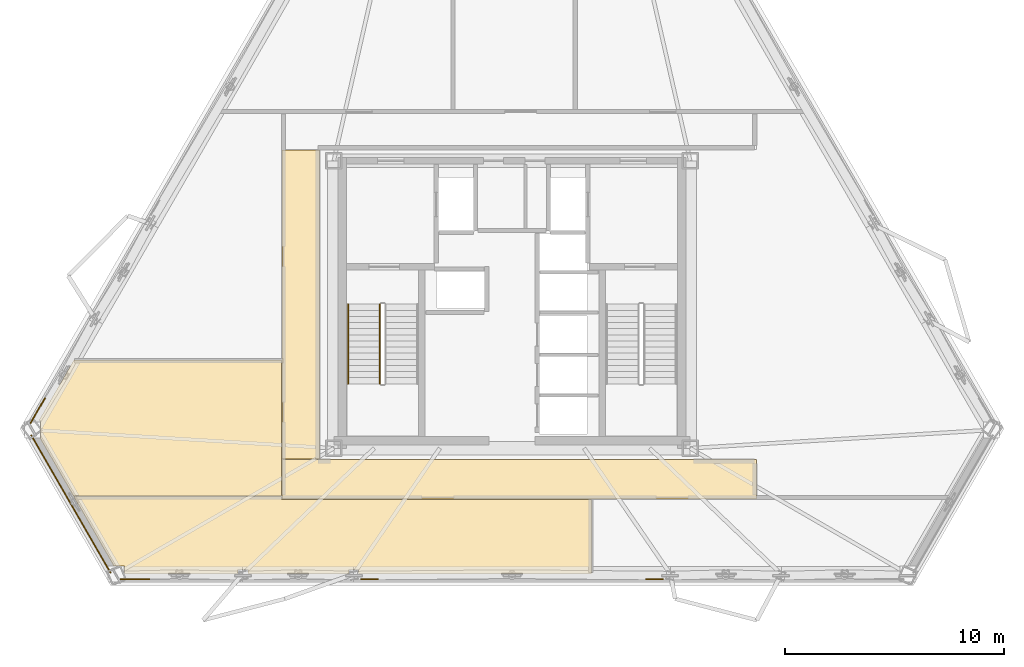
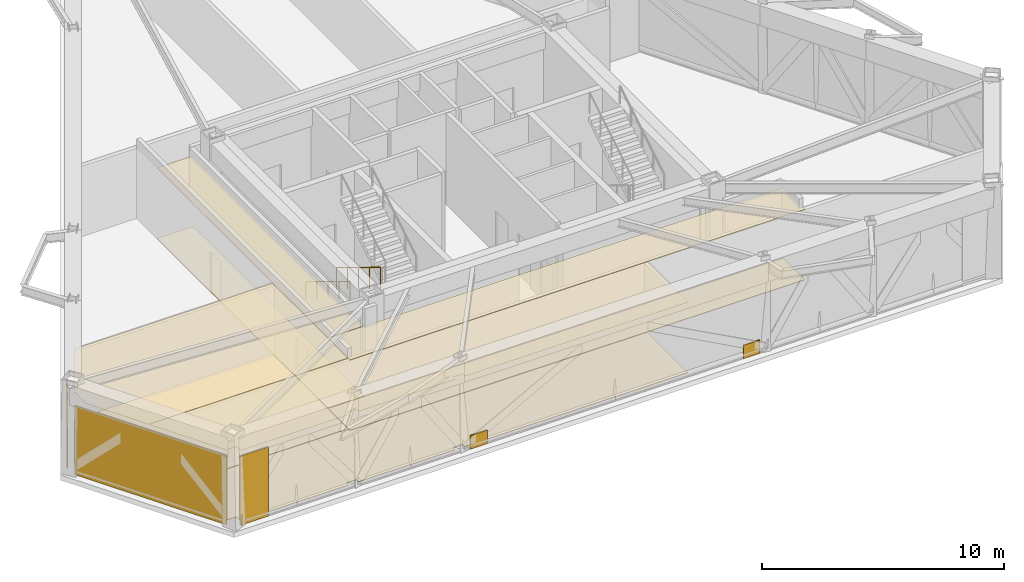
# One storey, part 8 of 10: 13 coverings, 2 railings.
"""IFC4 building model written with IfcOpenShell, lengths in metres."""

from ifc_helpers import new_model, si_unit, direction, frame, origin, origin_2d, place, context, subcontext, project, spatial, polyline, rectangle, circle, outline, extrude, material, layer, layer_set, type_object, element, save


model = new_model("IFC4")

# Units and contexts
model_context = context("Model", 3, precision=1e-05, world=origin(), true_north=direction((0.0, 1.0)))
body_context = subcontext(model_context, "Body", "Model", "MODEL_VIEW")
ifc_project = project(units=[si_unit("LENGTHUNIT", "METRE"), si_unit("AREAUNIT", "SQUARE_METRE"), si_unit("VOLUMEUNIT", "CUBIC_METRE"), si_unit("PLANEANGLEUNIT", "RADIAN"), si_unit("MASSUNIT", "GRAM", prefix="KILO")], contexts=[model_context])

# Site, building, storey
site_placement = place(None, origin())
site = spatial("IfcSite", under=ifc_project, at=site_placement, CompositionType="ELEMENT")
building_placement = place(site_placement, origin())
building = spatial("IfcBuilding", under=site, at=building_placement, Name="Oramaril Tower", CompositionType="ELEMENT")
storey_placement = place(building_placement, frame((0.0, 0.0, 189.0)))
storey = spatial("IfcBuildingStorey", under=building, at=storey_placement, Name="L50", CompositionType="ELEMENT", Elevation=189.0)

# Coverings
ifc_material_1 = material(Name="Mineral Fibre Acoustic Ceiling")
ifc_layer_1 = layer(ifc_material_1, 0.02001953125)
ifc_layer_set_1 = layer_set([ifc_layer_1], Name="CVT-CEIL")
covering_type_1 = type_object("IfcCoveringType", Name="CVT-CEIL", PredefinedType="CEILING", material=ifc_layer_set_1)
covering_1_placement = place(storey_placement, frame((0.0, 0.0, 3.56201171875)))
element("IfcCovering", 1, at=covering_1_placement, inside=storey, type_object=covering_type_1, Name="L50 Acoustic Suspended Ceiling 1", PredefinedType="CEILING", context=body_context, shape_type="SweptSolid", body=[
    extrude(outline(polyline([(48.679931640625, 10.47998046875), (48.679931640625, 8.669921875), (26.969970703125, 8.669921875), (26.969970703125, 10.47998046875), (48.679931640625, 10.47998046875)])), origin(), (0.0, 0.0, 1.0), 0.02001953125),
])
covering_2_placement = place(storey_placement, frame((0.0, 0.0, 3.56201171875)))
element("IfcCovering", 2, at=covering_2_placement, inside=storey, type_object=covering_type_1, Name="L50 Acoustic Suspended Ceiling 3", PredefinedType="CEILING", context=body_context, shape_type="SweptSolid", body=[
    extrude(outline(polyline([(28.699951171875, 10.5), (26.969970703125, 10.5), (26.969970703125, 24.64990234375), (28.699951171875, 24.64990234375), (28.699951171875, 10.5)])), origin(), (0.0, 0.0, 1.0), 0.02001953125),
])
covering_3_placement = place(storey_placement, frame((0.0, 0.0, 3.56201171875)))
element("IfcCovering", 3, at=covering_3_placement, inside=storey, type_object=covering_type_1, Name="L50 Acoustic Suspended Ceiling 4", PredefinedType="CEILING", context=body_context, shape_type="SweptSolid", body=[
    extrude(outline(polyline([(41.14208984375, 5.279296875), (30.484619140625, 5.279296875), (30.484619140625, 5.461181640625), (30.03369140625, 5.461181640625), (30.03369140625, 5.279296875), (25.419921875, 5.279296875), (25.419921875, 5.461181640625), (24.960693359375, 5.461181640625), (24.960693359375, 5.279296875), (19.782470703125, 5.279296875), (19.782470703125, 5.61181640625), (19.282958984375, 5.61181640625), (17.44677734375, 8.7919921875), (26.949951171875, 8.7919921875), (26.949951171875, 8.669921875), (26.9501953125, 8.66796875), (26.950439453125, 8.666015625), (26.950927734375, 8.664306640625), (26.951416015625, 8.662353515625), (26.952392578125, 8.66064453125), (26.953369140625, 8.658935546875), (26.95458984375, 8.6572265625), (26.955810546875, 8.656005859375), (26.957275390625, 8.654541015625), (26.958984375, 8.6533203125), (26.960693359375, 8.65234375), (26.96240234375, 8.651611328125), (26.964111328125, 8.65087890625), (26.966064453125, 8.650390625), (26.968017578125, 8.650146484375), (26.969970703125, 8.64990234375), (41.14208984375, 8.64990234375), (41.14208984375, 5.279296875)])), origin(), (0.0, 0.0, 1.0), 0.02001953125),
])
covering_4_placement = place(storey_placement, frame((0.0, 0.0, 3.56201171875)))
element("IfcCovering", 4, at=covering_4_placement, inside=storey, type_object=covering_type_1, Name="L50 Acoustic Suspended Ceiling 6", PredefinedType="CEILING", context=body_context, shape_type="SweptSolid", body=[
    extrude(outline(polyline([(15.9013671875, 11.468994140625), (15.943603515625, 11.468994140625), (15.943603515625, 12.27001953125), (15.865966796875, 12.27001953125), (17.46630859375, 15.0419921875), (26.949951171875, 15.0419921875), (26.949951171875, 10.5), (26.9501953125, 10.498046875), (26.950439453125, 10.49609375), (26.950927734375, 10.494140625), (26.951416015625, 10.4921875), (26.952392578125, 10.490478515625), (26.95263671875, 10.489990234375), (26.952392578125, 10.489501953125), (26.951416015625, 10.48779296875), (26.950927734375, 10.48583984375), (26.950439453125, 10.48388671875), (26.9501953125, 10.48193359375), (26.949951171875, 10.47998046875), (26.949951171875, 8.81201171875), (17.44677734375, 8.81201171875), (17.44482421875, 8.81201171875), (17.44287109375, 8.8115234375), (17.44091796875, 8.81103515625), (17.439208984375, 8.810302734375), (17.437255859375, 8.8095703125), (17.436767578125, 8.809326171875), (15.9013671875, 11.468994140625)])), origin(), (0.0, 0.0, 1.0), 0.02001953125),
])
ifc_material_2 = material(Name="Warm Cream Limestone", Category="masonry")
ifc_layer_2 = layer(ifc_material_2, 0.050048828125)
ifc_layer_set_2 = layer_set([ifc_layer_2], Name="CVT-CLD")
covering_type_2 = type_object("IfcCoveringType", Name="CVT-CLD", PredefinedType="CLADDING", material=ifc_layer_set_2)
covering_5_placement = place(storey_placement, frame((17.32470703125, 8.451904296875, 0.0400390625), z_axis=(0.0, 0.0, 1.0), x_axis=(0.4999984885, -0.866026276448, 0.0)))
element("IfcCovering", 5, at=covering_5_placement, inside=storey, type_object=covering_type_2, Name="L50 Warm Cream Limestone Cladding", PredefinedType="CLADDING", context=body_context, shape_type="SweptSolid", body=[
    extrude(rectangle(XDim=7.26953125, YDim=0.050048828125, at=origin_2d()), origin(), (0.0, 0.0, 1.0), 3.489990234375),
])
covering_6_placement = place(storey_placement, frame((20.262451171875, 5.00341796875, 0.0400390625), z_axis=(0.0, 0.0, 1.0), x_axis=(1.0, 0.0, 0.0)))
element("IfcCovering", 6, at=covering_6_placement, inside=storey, type_object=covering_type_2, Name="L50 Warm Cream Limestone Cladding", PredefinedType="CLADDING", context=body_context, shape_type="SweptSolid", body=[
    extrude(rectangle(XDim=1.35009765625, YDim=0.050048828125, at=origin_2d()), origin(), (0.0, 0.0, 1.0), 3.489990234375),
])
for number, where, z_axis, x_axis, name in (
    (7, (30.988525390625, 5.00341796875, 0.0400390625), (0.0, 0.0, 1.0), (1.0, 0.0, 0.0), "L50 Warm Cream Limestone Spandrel Cladding"),
    (8, (44.011474609375, 5.00341796875, 0.0400390625), (0.0, 0.0, 1.0), (1.0, 0.0, 0.0), "L50 Warm Cream Limestone Spandrel Cladding"),
):
    element("IfcCovering", number, at=place(storey_placement, frame(where, z_axis=z_axis, x_axis=x_axis)), inside=storey, type_object=covering_type_2, Name=name, PredefinedType="CLADDING", context=body_context, shape_type="SweptSolid", body=[
        extrude(rectangle(XDim=0.800048828125, YDim=0.050048828125, at=origin_2d()), origin(), (0.0, 0.0, 1.0), 0.679931640625),
    ])
covering_7_placement = place(storey_placement, frame((15.80712890625, 12.72021484375, 0.0400390625), z_axis=(0.0, 0.0, 1.0), x_axis=(-0.5, -0.866025403784, 0.0)))
element("IfcCovering", 9, at=covering_7_placement, inside=storey, type_object=covering_type_2, Name="L50 Warm Cream Limestone Cladding", PredefinedType="CLADDING", context=body_context, shape_type="SweptSolid", body=[
    extrude(rectangle(XDim=1.35009765625, YDim=0.050048828125, at=origin_2d()), origin(), (0.0, 0.0, 1.0), 3.489990234375),
])
ifc_material_3 = material(Name="Honed Quartzite Stone Flooring", Category="masonry")
ifc_layer_3 = layer(ifc_material_3, 0.02490234375)
ifc_layer_set_3 = layer_set([ifc_layer_3], Name="CVT-FLR")
covering_type_3 = type_object("IfcCoveringType", Name="CVT-FLR", PredefinedType="FLOORING", material=ifc_layer_set_3)
covering_8_placement = place(storey_placement, origin())
element("IfcCovering", 10, at=covering_8_placement, inside=storey, type_object=covering_type_3, Name="L50 Honed Stone Floor Finish 1", PredefinedType="FLOORING", context=body_context, shape_type="SweptSolid", body=[
    extrude(outline(polyline([(48.679931640625, 10.47998046875), (48.679931640625, 8.669921875), (26.969970703125, 8.669921875), (26.969970703125, 10.47998046875), (48.679931640625, 10.47998046875)])), origin(), (0.0, 0.0, 1.0), 0.02490234375),
])
covering_9_placement = place(storey_placement, origin())
element("IfcCovering", 11, at=covering_9_placement, inside=storey, type_object=covering_type_3, Name="L50 Honed Stone Floor Finish 3", PredefinedType="FLOORING", context=body_context, shape_type="SweptSolid", body=[
    extrude(outline(polyline([(28.699951171875, 10.5), (26.969970703125, 10.5), (26.969970703125, 24.64990234375), (28.699951171875, 24.64990234375), (28.699951171875, 10.5)])), origin(), (0.0, 0.0, 1.0), 0.02490234375),
])
covering_10_placement = place(storey_placement, origin())
element("IfcCovering", 12, at=covering_10_placement, inside=storey, type_object=covering_type_3, Name="L50 Honed Stone Floor Finish 4", PredefinedType="FLOORING", context=body_context, shape_type="SweptSolid", body=[
    extrude(outline(polyline([(41.14208984375, 5.279296875), (30.484619140625, 5.279296875), (30.484619140625, 5.461181640625), (30.03369140625, 5.461181640625), (30.03369140625, 5.279296875), (25.419921875, 5.279296875), (25.419921875, 5.461181640625), (24.960693359375, 5.461181640625), (24.960693359375, 5.279296875), (19.782470703125, 5.279296875), (19.782470703125, 5.61181640625), (19.282958984375, 5.61181640625), (17.44677734375, 8.7919921875), (26.949951171875, 8.7919921875), (26.949951171875, 8.669921875), (26.9501953125, 8.66796875), (26.950439453125, 8.666015625), (26.950927734375, 8.664306640625), (26.951416015625, 8.662353515625), (26.952392578125, 8.66064453125), (26.953369140625, 8.658935546875), (26.95458984375, 8.6572265625), (26.955810546875, 8.656005859375), (26.957275390625, 8.654541015625), (26.958984375, 8.6533203125), (26.960693359375, 8.65234375), (26.96240234375, 8.651611328125), (26.964111328125, 8.65087890625), (26.966064453125, 8.650390625), (26.968017578125, 8.650146484375), (26.969970703125, 8.64990234375), (41.14208984375, 8.64990234375), (41.14208984375, 5.279296875)])), origin(), (0.0, 0.0, 1.0), 0.02490234375),
])
covering_11_placement = place(storey_placement, origin())
element("IfcCovering", 13, at=covering_11_placement, inside=storey, type_object=covering_type_3, Name="L50 Honed Stone Floor Finish 6", PredefinedType="FLOORING", context=body_context, shape_type="SweptSolid", body=[
    extrude(outline(polyline([(15.9013671875, 11.468994140625), (15.943603515625, 11.468994140625), (15.943603515625, 12.27001953125), (15.865966796875, 12.27001953125), (17.46630859375, 15.0419921875), (26.949951171875, 15.0419921875), (26.949951171875, 10.5), (26.9501953125, 10.498046875), (26.950439453125, 10.49609375), (26.950927734375, 10.494140625), (26.951416015625, 10.4921875), (26.952392578125, 10.490478515625), (26.95263671875, 10.489990234375), (26.952392578125, 10.489501953125), (26.951416015625, 10.48779296875), (26.950927734375, 10.48583984375), (26.950439453125, 10.48388671875), (26.9501953125, 10.48193359375), (26.949951171875, 10.47998046875), (26.949951171875, 8.81201171875), (17.44677734375, 8.81201171875), (17.44482421875, 8.81201171875), (17.44287109375, 8.8115234375), (17.44091796875, 8.81103515625), (17.439208984375, 8.810302734375), (17.437255859375, 8.8095703125), (17.436767578125, 8.809326171875), (15.9013671875, 11.468994140625)])), origin(), (0.0, 0.0, 1.0), 0.02490234375),
])

# Railings
ifc_material_4 = material(Name="Stainless Steel 316L", Category="steel")
railing_type_1 = type_object("IfcRailingType", Name="RLT-GRD", PredefinedType="GUARDRAIL", material=ifc_material_4)
railing_1_placement = place(storey_placement, frame((31.4599609375, 17.590087890625, 0.17138671875)))
element("IfcRailing", 14, at=railing_1_placement, inside=storey, type_object=railing_type_1, Name="L50 ST-1 stair guard 1", PredefinedType="GUARDRAIL", context=body_context, shape_type="SweptSolid", body=[
    extrude(circle(Radius=0.02392578125, at=origin_2d()), frame((0.0, 0.0, 1.076171875), z_axis=(0.0, -0.852865859571, 0.52213008492), x_axis=(1.0, 0.0, 0.0)), (0.0, 0.0, 1.0), 4.26806640625),
    extrude(circle(Radius=0.02099609375, at=origin_2d()), origin(), (0.0, 0.0, 1.0), 1.052001953125),
    extrude(circle(Radius=0.02099609375, at=origin_2d()), frame((0.0, -0.91015625, 0.55712890625)), (0.0, 0.0, 1.0), 1.052001953125),
    extrude(circle(Radius=0.02099609375, at=origin_2d()), frame((0.0, -1.820068359375, 1.1142578125)), (0.0, 0.0, 1.0), 1.052001953125),
    extrude(circle(Radius=0.02099609375, at=origin_2d()), frame((0.0, -2.72998046875, 1.67138671875)), (0.0, 0.0, 1.0), 1.052001953125),
    extrude(circle(Radius=0.02099609375, at=origin_2d()), frame((0.0, -3.64013671875, 2.228515625)), (0.0, 0.0, 1.0), 1.052001953125),
])
ifc_material_5 = material(Name="Stainless Steel 316L", Category="steel")
railing_type_2 = type_object("IfcRailingType", Name="RLT-HND", PredefinedType="HANDRAIL", material=ifc_material_5)
railing_2_placement = place(storey_placement, frame((30.0, 17.590087890625, 0.17138671875)))
element("IfcRailing", 15, at=railing_2_placement, inside=storey, type_object=railing_type_2, Name="L50 ST-1 stair handrail 1", PredefinedType="HANDRAIL", context=body_context, shape_type="SweptSolid", body=[
    extrude(circle(Radius=0.02392578125, at=origin_2d()), frame((0.0, 0.0, 0.8759765625), z_axis=(0.0, -0.852865859571, 0.52213008492), x_axis=(1.0, 0.0, 0.0)), (0.0, 0.0, 1.0), 4.26806640625),
    extrude(circle(Radius=0.02099609375, at=origin_2d()), origin(), (0.0, 0.0, 1.0), 0.851806640625),
    extrude(circle(Radius=0.02099609375, at=origin_2d()), frame((0.0, -0.91015625, 0.55712890625)), (0.0, 0.0, 1.0), 0.851806640625),
    extrude(circle(Radius=0.02099609375, at=origin_2d()), frame((0.0, -1.820068359375, 1.1142578125)), (0.0, 0.0, 1.0), 0.851806640625),
    extrude(circle(Radius=0.02099609375, at=origin_2d()), frame((0.0, -2.72998046875, 1.67138671875)), (0.0, 0.0, 1.0), 0.851806640625),
    extrude(circle(Radius=0.02099609375, at=origin_2d()), frame((0.0, -3.64013671875, 2.228515625)), (0.0, 0.0, 1.0), 0.851806640625),
])

save(model, "model.ifc")
